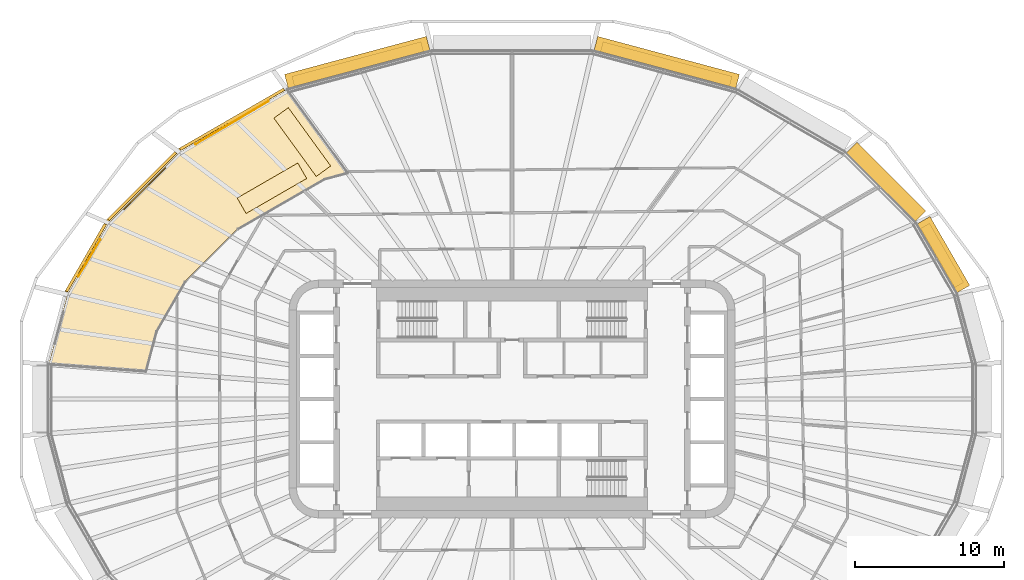
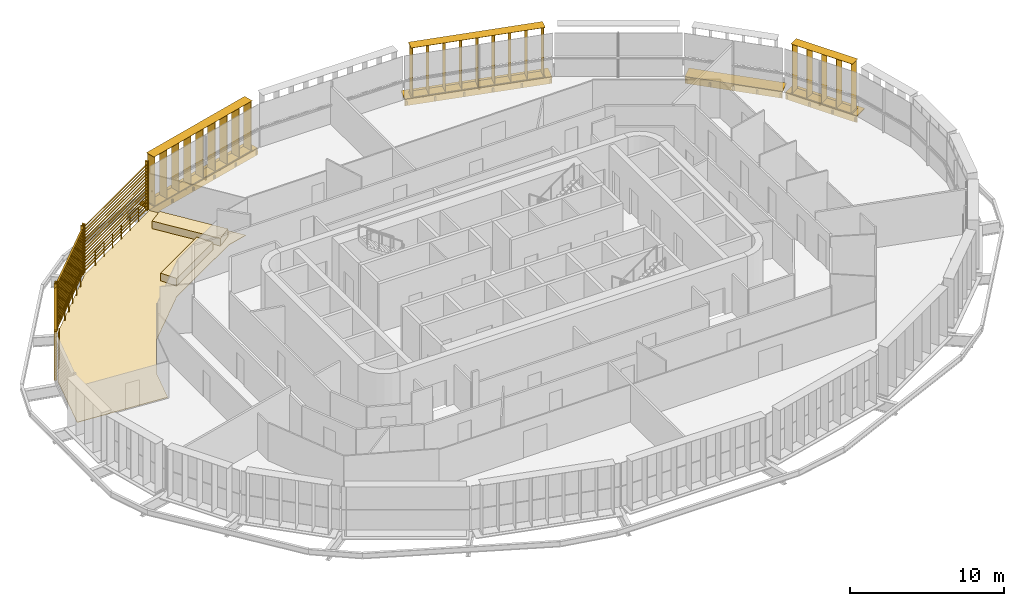
# One storey, part 22 of 23: 10 shading devices, 3 coverings, 3 railings.
"""IFC4 building model written with IfcOpenShell, lengths in metres."""

import ifcopenshell
import ifcopenshell.guid

model = None  # the IFC model being written
_history = None  # IfcOwnerHistory: only IFC2X3 demands one
_inside = {}  # id of a spatial element -> (the spatial element, [elements in it])
_under = {}  # id of a project, library or spatial element -> (it, [spatial elements below it])
_declared = {}  # id of a project -> (the project, [libraries it declares])
_typed = {}  # id of a type object -> (the type object, [elements of that type])
_made_of = {}  # id of a material, layer set ... -> (it, [elements and type objects made of it])


def new_model(schema):
    """Start an empty IFC model of exactly this schema.

    Asked for "IFC4X3", IfcOpenShell would pick the latest addendum, in which some entities
    have other attributes; the version numbers below select the first issue.
    IFC2X3 requires an IfcOwnerHistory on every rooted entity: one is made here for all.
    """
    global model, _history
    if schema == "IFC4X3":
        model = ifcopenshell.file(schema_version=(4, 3, 0, 0))
    else:
        model = ifcopenshell.file(schema=schema)
    _inside.clear()
    _under.clear()
    _declared.clear()
    _typed.clear()
    _made_of.clear()
    _history = None
    if model.schema == "IFC2X3":
        org = make("IfcOrganization", Name="unknown")
        user = make(
            "IfcPersonAndOrganization",
            ThePerson=make("IfcPerson", FamilyName="unknown"),
            TheOrganization=org,
        )
        app = make(
            "IfcApplication",
            ApplicationDeveloper=org,
            Version="unknown",
            ApplicationFullName="unknown",
            ApplicationIdentifier="unknown",
        )
        _history = make(
            "IfcOwnerHistory",
            OwningUser=user,
            OwningApplication=app,
            ChangeAction="ADDED",
            CreationDate=0,
        )
    return model


def make(cls, **values):
    """One entity of the class cls with the attributes given. An attribute that is None is left unset."""
    return model.create_entity(
        cls, **{name: value for name, value in values.items() if value is not None}
    )


def rooted(cls, **values):
    """An entity with a GlobalId (a new one), such as an element, a storey or a relation."""
    return make(cls, GlobalId=ifcopenshell.guid.new(), OwnerHistory=_history, **values)


def si_unit(unit_type, name, prefix=None):
    """IfcSIUnit, for example si_unit("LENGTHUNIT", "METRE", prefix="MILLI")."""
    return make("IfcSIUnit", UnitType=unit_type, Prefix=prefix, Name=name)


def assignment(units):
    """IfcUnitAssignment: the units of a project."""
    return None if units is None else make("IfcUnitAssignment", Units=units)


def point(xyz):
    """IfcCartesianPoint."""
    return None if xyz is None else make("IfcCartesianPoint", Coordinates=xyz)


def direction(xyz):
    """IfcDirection."""
    return None if xyz is None else make("IfcDirection", DirectionRatios=xyz)


def frame(location, z_axis=None, x_axis=None):
    """IfcAxis2Placement3D, a coordinate frame: its origin and axes. An axis left out is left unset."""
    return make(
        "IfcAxis2Placement3D",
        Location=point(location),
        Axis=direction(z_axis),
        RefDirection=direction(x_axis),
    )


def frame_2d(location, x_axis=None):
    """IfcAxis2Placement2D, a coordinate frame in the plane: its origin and x axis."""
    return make(
        "IfcAxis2Placement2D", Location=point(location), RefDirection=direction(x_axis)
    )


def origin():
    """The frame at (0, 0, 0) with its axes left unset."""
    return frame((0.0, 0.0, 0.0))


def origin_2d():
    """The frame at (0, 0) in the plane with its x axis left unset."""
    return frame_2d((0.0, 0.0))


def place(relative_to, where):
    """IfcLocalPlacement: puts the frame where relative to a parent placement (None: the world)."""
    return make(
        "IfcLocalPlacement", PlacementRelTo=relative_to, RelativePlacement=where
    )


def context(
    kind, dimensions, precision=None, world=None, true_north=None, identifier=None
):
    """IfcGeometricRepresentationContext, for example the 3D "Model" context."""
    return make(
        "IfcGeometricRepresentationContext",
        ContextIdentifier=identifier,
        ContextType=kind,
        CoordinateSpaceDimension=dimensions,
        Precision=precision,
        WorldCoordinateSystem=world,
        TrueNorth=true_north,
    )


def subcontext(parent, identifier, kind, view, scale=None):
    """IfcGeometricRepresentationSubContext, for example "Body" below "Model"."""
    return make(
        "IfcGeometricRepresentationSubContext",
        ContextIdentifier=identifier,
        ContextType=kind,
        ParentContext=parent,
        TargetScale=scale,
        TargetView=view,
    )


def project(units=None, contexts=None):
    """IfcProject with its units and contexts."""
    return rooted(
        "IfcProject",
        Name="project",
        RepresentationContexts=contexts,
        UnitsInContext=assignment(units),
    )


def spatial(cls, under=None, at=None, **own):
    """A site, building, storey or space (cls), placed at a placement, below another one or the project."""
    s = rooted(cls, ObjectPlacement=at, **own)
    if under is not None:
        _under.setdefault(under.id(), (under, []))[1].append(s)
    return s


def polyline(points):
    """IfcPolyline through the points."""
    return make("IfcPolyline", Points=[point(p) for p in points])


def profile(cls, at=None, kind="AREA", **sizes):
    """A parametric profile (cls). Its sizes go by their IFC names, for example OverallWidth=200.0."""
    return make(cls, ProfileType=kind, Position=at, **sizes)


def rectangle(**sizes):
    """IfcRectangleProfileDef."""
    return profile("IfcRectangleProfileDef", **sizes)


def circle(**sizes):
    """IfcCircleProfileDef."""
    return profile("IfcCircleProfileDef", **sizes)


def outline(outer, holes=None, kind="AREA"):
    """IfcArbitraryClosedProfileDef: a profile drawn as a closed curve; with holes, ...WithVoids."""
    if holes is None:
        return make("IfcArbitraryClosedProfileDef", ProfileType=kind, OuterCurve=outer)
    return make(
        "IfcArbitraryProfileDefWithVoids",
        ProfileType=kind,
        OuterCurve=outer,
        InnerCurves=holes,
    )


def extrude(swept, where, along, depth):
    """IfcExtrudedAreaSolid: the profile swept, set in the frame where, extruded along a direction by depth."""
    return make(
        "IfcExtrudedAreaSolid",
        SweptArea=swept,
        Position=where,
        ExtrudedDirection=direction(along),
        Depth=depth,
    )


def shape(context_of_items, identifier, shape_type, items):
    """IfcShapeRepresentation: the items that make up one representation, for example the "Body"."""
    return make(
        "IfcShapeRepresentation",
        ContextOfItems=context_of_items,
        RepresentationIdentifier=identifier,
        RepresentationType=shape_type,
        Items=items,
    )


def material(Name=None, Category=None):
    """IfcMaterial."""
    return make("IfcMaterial", Name=Name, Category=Category)


def layer(
    of_material, thickness, ventilated=None, Name=None, Category=None, Priority=None
):
    """IfcMaterialLayer: one layer of a wall or slab, of a material (None: an air gap)."""
    return make(
        "IfcMaterialLayer",
        Material=of_material,
        LayerThickness=thickness,
        IsVentilated=ventilated,
        Name=Name,
        Category=Category,
        Priority=Priority,
    )


def layer_set(layers, Name=None):
    """IfcMaterialLayerSet."""
    return make("IfcMaterialLayerSet", MaterialLayers=layers, LayerSetName=Name)


def made_of(thing, what):
    """Note that an element or type object is made of a material, layer set ...; save() writes the relation."""
    if what is not None:
        _made_of.setdefault(what.id(), (what, []))[1].append(thing)
    return thing


def type_object(cls, material=None, **own):
    """A type object (cls), such as IfcWallType, which elements share."""
    return made_of(rooted(cls, **own), material)


def element(
    cls,
    number,
    at=None,
    inside=None,
    cuts=None,
    type_object=None,
    material=None,
    context=None,
    identifier="Body",
    shape_type=None,
    held_by="IfcProductDefinitionShape",
    body=None,
    shapes=None,
    **own,
):
    """One element of the class cls, such as IfcWall. Its Tag is "e" and its number.

    at: its placement. inside: the storey or other place that contains it. cuts: it is an
    opening in that element (IfcRelVoidsElement). A single representation is given by context,
    identifier, shape_type and body (its items); several are given by shapes. held_by: the class
    of the entity that holds the representations. save() writes the other relations.
    """
    e = rooted(cls, Tag="e%d" % number, ObjectPlacement=at, **own)
    if body is not None:
        shapes = [shape(context, identifier, shape_type, body)]
    if shapes is not None:
        e.Representation = make(held_by, Representations=shapes)
    if inside is not None:
        _inside.setdefault(inside.id(), (inside, []))[1].append(e)
    if cuts is not None:
        rooted(
            "IfcRelVoidsElement", RelatingBuildingElement=cuts, RelatedOpeningElement=e
        )
    if type_object is not None:
        _typed.setdefault(type_object.id(), (type_object, []))[1].append(e)
    return made_of(e, material)


def aggregate(whole, parts):
    """IfcRelAggregates: a whole, such as a stair, and the parts it consists of."""
    return rooted("IfcRelAggregates", RelatingObject=whole, RelatedObjects=parts)


def save(model, path):
    """Write the relations noted so far, then the file.

    IfcRelAggregates (storeys below a building ...), IfcRelContainedInSpatialStructure (elements
    in a storey), IfcRelDefinesByType, IfcRelAssociatesMaterial and IfcRelDeclares: one each for
    every whole, place, type object, material and project.
    """
    for whole, parts in _under.values():
        aggregate(whole, parts)
    for where, things in _inside.values():
        rooted(
            "IfcRelContainedInSpatialStructure",
            RelatedElements=things,
            RelatingStructure=where,
        )
    for kind, things in _typed.values():
        rooted("IfcRelDefinesByType", RelatedObjects=things, RelatingType=kind)
    for what, things in _made_of.values():
        rooted("IfcRelAssociatesMaterial", RelatedObjects=things, RelatingMaterial=what)
    for by, libraries in _declared.values():
        rooted("IfcRelDeclares", RelatingContext=by, RelatedDefinitions=libraries)
    model.write(path)


model = new_model("IFC4")

# Units and contexts
model_context = context("Model", 3, precision=1e-05, world=origin(), true_north=direction((0.0, 1.0)))
body_context = subcontext(model_context, "Body", "Model", "MODEL_VIEW")
ifc_project = project(units=[si_unit("LENGTHUNIT", "METRE"), si_unit("AREAUNIT", "SQUARE_METRE"), si_unit("VOLUMEUNIT", "CUBIC_METRE"), si_unit("PLANEANGLEUNIT", "RADIAN"), si_unit("MASSUNIT", "GRAM", prefix="KILO")], contexts=[model_context])

# Site, building, storey
site_placement = place(None, origin())
site = spatial("IfcSite", under=ifc_project, at=site_placement, CompositionType="ELEMENT")
building_placement = place(site_placement, origin())
building = spatial("IfcBuilding", under=site, at=building_placement, Name="Sahrelin Media Tower", CompositionType="ELEMENT")
storey_placement = place(building_placement, frame((0.0, 0.0, 169.60009765625)))
storey = spatial("IfcBuildingStorey", under=building, at=storey_placement, Name="L35", CompositionType="ELEMENT", Elevation=169.60009765625)

# Shading devices
ifc_material_1 = material(Name="Champagne anodised aluminium 6063-T6", Category="aluminium")
shading_device_type_1 = type_object("IfcShadingDeviceType", Name="Fin cassette", PredefinedType="USERDEFINED", material=ifc_material_1)
placement_1 = place(storey_placement, frame((28.566162109375, 9.4482421875, 0.0), z_axis=(0.0, 0.0, 1.0), x_axis=(0.500011000363, -0.866019052629, 0.0)))
element("IfcShadingDevice", 1, at=placement_1, inside=storey, type_object=shading_device_type_1, Name="L35:FIN:L35-02", ObjectType="FIN", PredefinedType="USERDEFINED", context=body_context, shape_type="SweptSolid", body=[
    extrude(rectangle(XDim=4.60009765625, YDim=0.699951171875, at=origin_2d()), frame((0.0, 0.419921875, 0.0)), (0.0, 0.0, 1.0), 0.02001953125),
    extrude(rectangle(XDim=4.60009765625, YDim=0.699951171875, at=origin_2d()), frame((0.0, 0.419921875, 3.89990234375)), (0.0, 0.0, 1.0), 0.02001953125),
    extrude(rectangle(XDim=0.02001953125, YDim=0.699951171875, at=origin_2d()), frame((-2.199951171875, 0.419921875, 0.010009765625), z_axis=(0.0, 0.0, 1.0), x_axis=(1.0, 0.0, 0.0)), (0.0, 0.0, 1.0), 3.89990234375),
    extrude(rectangle(XDim=0.02001953125, YDim=0.699951171875, at=origin_2d()), frame((-1.10009765625, 0.419921875, 0.010009765625), z_axis=(0.0, 0.0, 1.0), x_axis=(1.0, 0.0, 0.0)), (0.0, 0.0, 1.0), 3.89990234375),
    extrude(rectangle(XDim=0.02001953125, YDim=0.699951171875, at=origin_2d()), frame((0.0, 0.419921875, 0.010009765625), z_axis=(0.0, 0.0, 1.0), x_axis=(1.0, 0.0, 0.0)), (0.0, 0.0, 1.0), 3.89990234375),
    extrude(rectangle(XDim=0.02001953125, YDim=0.699951171875, at=origin_2d()), frame((1.10009765625, 0.419921875, 0.010009765625), z_axis=(0.0, 0.0, 1.0), x_axis=(1.0, 0.0, 0.0)), (0.0, 0.0, 1.0), 3.89990234375),
    extrude(rectangle(XDim=0.02001953125, YDim=0.699951171875, at=origin_2d()), frame((2.199951171875, 0.419921875, 0.010009765625), z_axis=(0.0, 0.0, 1.0), x_axis=(1.0, 0.0, 0.0)), (0.0, 0.0, 1.0), 3.89990234375),
])
placement_2 = place(storey_placement, frame((10.268798828125, 22.125244140625, 0.0), z_axis=(0.0, 0.0, 1.0), x_axis=(0.965928857556, -0.258807731996, 0.0)))
element("IfcShadingDevice", 2, at=placement_2, inside=storey, type_object=shading_device_type_1, Name="L35:FIN:L35-05", ObjectType="FIN", PredefinedType="USERDEFINED", context=body_context, shape_type="SweptSolid", body=[
    extrude(rectangle(XDim=9.0, YDim=0.699951171875, at=origin_2d()), frame((0.0, 0.419921875, 0.0)), (0.0, 0.0, 1.0), 0.02001953125),
    extrude(rectangle(XDim=9.0, YDim=0.699951171875, at=origin_2d()), frame((0.0, 0.419921875, 3.89990234375)), (0.0, 0.0, 1.0), 0.02001953125),
    extrude(rectangle(XDim=0.02001953125, YDim=0.699951171875, at=origin_2d()), frame((-4.39990234375, 0.419921875, 0.010009765625), z_axis=(0.0, 0.0, 1.0), x_axis=(1.0, 0.0, 0.0)), (0.0, 0.0, 1.0), 3.89990234375),
    extrude(rectangle(XDim=0.02001953125, YDim=0.699951171875, at=origin_2d()), frame((-3.300048828125, 0.419921875, 0.010009765625), z_axis=(0.0, 0.0, 1.0), x_axis=(1.0, 0.0, 0.0)), (0.0, 0.0, 1.0), 3.89990234375),
    extrude(rectangle(XDim=0.02001953125, YDim=0.699951171875, at=origin_2d()), frame((-2.199951171875, 0.419921875, 0.010009765625), z_axis=(0.0, 0.0, 1.0), x_axis=(1.0, 0.0, 0.0)), (0.0, 0.0, 1.0), 3.89990234375),
    extrude(rectangle(XDim=0.02001953125, YDim=0.699951171875, at=origin_2d()), frame((-1.10009765625, 0.419921875, 0.010009765625), z_axis=(0.0, 0.0, 1.0), x_axis=(1.0, 0.0, 0.0)), (0.0, 0.0, 1.0), 3.89990234375),
    extrude(rectangle(XDim=0.02001953125, YDim=0.699951171875, at=origin_2d()), frame((0.0, 0.419921875, 0.010009765625), z_axis=(0.0, 0.0, 1.0), x_axis=(1.0, 0.0, 0.0)), (0.0, 0.0, 1.0), 3.89990234375),
    extrude(rectangle(XDim=0.02001953125, YDim=0.699951171875, at=origin_2d()), frame((1.10009765625, 0.419921875, 0.010009765625), z_axis=(0.0, 0.0, 1.0), x_axis=(1.0, 0.0, 0.0)), (0.0, 0.0, 1.0), 3.89990234375),
    extrude(rectangle(XDim=0.02001953125, YDim=0.699951171875, at=origin_2d()), frame((2.199951171875, 0.419921875, 0.010009765625), z_axis=(0.0, 0.0, 1.0), x_axis=(1.0, 0.0, 0.0)), (0.0, 0.0, 1.0), 3.89990234375),
    extrude(rectangle(XDim=0.02001953125, YDim=0.699951171875, at=origin_2d()), frame((3.300048828125, 0.419921875, 0.010009765625), z_axis=(0.0, 0.0, 1.0), x_axis=(1.0, 0.0, 0.0)), (0.0, 0.0, 1.0), 3.89990234375),
    extrude(rectangle(XDim=0.02001953125, YDim=0.699951171875, at=origin_2d()), frame((4.39990234375, 0.419921875, 0.010009765625), z_axis=(0.0, 0.0, 1.0), x_axis=(1.0, 0.0, 0.0)), (0.0, 0.0, 1.0), 3.89990234375),
])
placement_3 = place(storey_placement, frame((-10.268798828125, 22.12548828125, 0.0), z_axis=(0.0, 0.0, 1.0), x_axis=(0.965928857556, 0.258807731996, 0.0)))
element("IfcShadingDevice", 3, at=placement_3, inside=storey, type_object=shading_device_type_1, Name="L35:FIN:L35-07", ObjectType="FIN", PredefinedType="USERDEFINED", context=body_context, shape_type="SweptSolid", body=[
    extrude(rectangle(XDim=9.0, YDim=0.699951171875, at=origin_2d()), frame((0.0, 0.419921875, 0.0)), (0.0, 0.0, 1.0), 0.02001953125),
    extrude(rectangle(XDim=9.0, YDim=0.699951171875, at=origin_2d()), frame((0.0, 0.419921875, 3.89990234375)), (0.0, 0.0, 1.0), 0.02001953125),
    extrude(rectangle(XDim=0.02001953125, YDim=0.699951171875, at=origin_2d()), frame((-4.39990234375, 0.419921875, 0.010009765625), z_axis=(0.0, 0.0, 1.0), x_axis=(1.0, 0.0, 0.0)), (0.0, 0.0, 1.0), 3.89990234375),
    extrude(rectangle(XDim=0.02001953125, YDim=0.699951171875, at=origin_2d()), frame((-3.300048828125, 0.419921875, 0.010009765625), z_axis=(0.0, 0.0, 1.0), x_axis=(1.0, 0.0, 0.0)), (0.0, 0.0, 1.0), 3.89990234375),
    extrude(rectangle(XDim=0.02001953125, YDim=0.699951171875, at=origin_2d()), frame((-2.199951171875, 0.419921875, 0.010009765625), z_axis=(0.0, 0.0, 1.0), x_axis=(1.0, 0.0, 0.0)), (0.0, 0.0, 1.0), 3.89990234375),
    extrude(rectangle(XDim=0.02001953125, YDim=0.699951171875, at=origin_2d()), frame((-1.10009765625, 0.419921875, 0.010009765625), z_axis=(0.0, 0.0, 1.0), x_axis=(1.0, 0.0, 0.0)), (0.0, 0.0, 1.0), 3.89990234375),
    extrude(rectangle(XDim=0.02001953125, YDim=0.699951171875, at=origin_2d()), frame((0.0, 0.419921875, 0.010009765625), z_axis=(0.0, 0.0, 1.0), x_axis=(1.0, 0.0, 0.0)), (0.0, 0.0, 1.0), 3.89990234375),
    extrude(rectangle(XDim=0.02001953125, YDim=0.699951171875, at=origin_2d()), frame((1.10009765625, 0.419921875, 0.010009765625), z_axis=(0.0, 0.0, 1.0), x_axis=(1.0, 0.0, 0.0)), (0.0, 0.0, 1.0), 3.89990234375),
    extrude(rectangle(XDim=0.02001953125, YDim=0.699951171875, at=origin_2d()), frame((2.199951171875, 0.419921875, 0.010009765625), z_axis=(0.0, 0.0, 1.0), x_axis=(1.0, 0.0, 0.0)), (0.0, 0.0, 1.0), 3.89990234375),
    extrude(rectangle(XDim=0.02001953125, YDim=0.699951171875, at=origin_2d()), frame((3.300048828125, 0.419921875, 0.010009765625), z_axis=(0.0, 0.0, 1.0), x_axis=(1.0, 0.0, 0.0)), (0.0, 0.0, 1.0), 3.89990234375),
    extrude(rectangle(XDim=0.02001953125, YDim=0.699951171875, at=origin_2d()), frame((4.39990234375, 0.419921875, 0.010009765625), z_axis=(0.0, 0.0, 1.0), x_axis=(1.0, 0.0, 0.0)), (0.0, 0.0, 1.0), 3.89990234375),
])

# Covering
ifc_material_2 = material(Name="Stone paving", Category="masonry")
ifc_layer = layer(ifc_material_2, 0.0400390625)
ifc_layer_set = layer_set([ifc_layer], Name="Garden paving")
covering_type_1 = type_object("IfcCoveringType", Name="Garden paving", PredefinedType="FLOORING", material=ifc_layer_set)
covering_1_placement = place(storey_placement, origin())
element("IfcCovering", 4, at=covering_1_placement, inside=storey, type_object=covering_type_1, Name="Garden paving G3", PredefinedType="FLOORING", context=body_context, shape_type="SweptSolid", body=[
    extrude(outline(polyline([(-27.138427734375, 11.8212890625), (-22.37939453125, 16.580322265625), (-15.14599609375, 20.75634765625), (-11.121826171875, 15.21923828125), (-12.642333984375, 14.811767578125), (-18.44970703125, 11.458984375), (-22.01708984375, 7.8916015625), (-23.943603515625, 4.55517578125), (-24.656982421875, 1.892333984375), (-31.152587890625, 2.377685546875), (-29.9072265625, 7.025390625), (-27.138427734375, 11.8212890625)])), origin(), (0.0, 0.0, 1.0), 0.039794921875),
])

# Shading devices
shading_device_type_2 = type_object("IfcShadingDeviceType", Name="Garden screen", PredefinedType="USERDEFINED", material=ifc_material_1)
shading_device_4_placement = place(storey_placement, frame((-18.77099609375, 18.72119140625, 0.0), z_axis=(0.0, 0.0, 1.0), x_axis=(0.866019052629, 0.500011000363, 0.0)))
element("IfcShadingDevice", 5, at=shading_device_4_placement, inside=storey, type_object=shading_device_type_2, Name="L35:SCREEN:L35-08", ObjectType="SCREEN", PredefinedType="USERDEFINED", context=body_context, shape_type="SweptSolid", body=[
    extrude(rectangle(XDim=0.1201171875, YDim=0.199951171875, at=origin_2d()), frame((4.091796875, 0.10009765625, 0.050048828125), z_axis=(0.0, 0.0, 1.0), x_axis=(1.0, 0.0, 0.0)), (0.0, 0.0, 1.0), 3.89990234375),
    extrude(rectangle(XDim=0.1201171875, YDim=0.199951171875, at=origin_2d()), frame((-4.091796875, 0.10009765625, 0.050048828125), z_axis=(0.0, 0.0, 1.0), x_axis=(1.0, 0.0, 0.0)), (0.0, 0.0, 1.0), 3.89990234375),
    extrude(rectangle(XDim=0.25, YDim=0.02001953125, at=origin_2d()), frame((4.031982421875, 0.10009765625, 0.14990234375), z_axis=(-1.0, 0.0, 0.0), x_axis=(0.0, -0.766044443119, 0.642787609687)), (0.0, 0.0, 1.0), 8.06396484375),
    extrude(rectangle(XDim=0.25, YDim=0.02001953125, at=origin_2d()), frame((4.031982421875, 0.10009765625, 0.39990234375), z_axis=(-1.0, 0.0, 0.0), x_axis=(0.0, -0.766044443119, 0.642787609687)), (0.0, 0.0, 1.0), 8.06396484375),
    extrude(rectangle(XDim=0.25, YDim=0.02001953125, at=origin_2d()), frame((4.031982421875, 0.10009765625, 0.64990234375), z_axis=(-1.0, 0.0, 0.0), x_axis=(0.0, -0.766044443119, 0.642787609687)), (0.0, 0.0, 1.0), 8.06396484375),
    extrude(rectangle(XDim=0.25, YDim=0.02001953125, at=origin_2d()), frame((4.031982421875, 0.10009765625, 0.89990234375), z_axis=(-1.0, 0.0, 0.0), x_axis=(0.0, -0.766044443119, 0.642787609687)), (0.0, 0.0, 1.0), 8.06396484375),
    extrude(rectangle(XDim=0.25, YDim=0.02001953125, at=origin_2d()), frame((4.031982421875, 0.10009765625, 1.14990234375), z_axis=(-1.0, 0.0, 0.0), x_axis=(0.0, -0.766044443119, 0.642787609687)), (0.0, 0.0, 1.0), 8.06396484375),
    extrude(rectangle(XDim=0.25, YDim=0.02001953125, at=origin_2d()), frame((4.031982421875, 0.10009765625, 1.39990234375), z_axis=(-1.0, 0.0, 0.0), x_axis=(0.0, -0.766044443119, 0.642787609687)), (0.0, 0.0, 1.0), 8.06396484375),
    extrude(rectangle(XDim=0.25, YDim=0.02001953125, at=origin_2d()), frame((4.031982421875, 0.10009765625, 1.64990234375), z_axis=(-1.0, 0.0, 0.0), x_axis=(0.0, -0.766044443119, 0.642787609687)), (0.0, 0.0, 1.0), 8.06396484375),
    extrude(rectangle(XDim=0.25, YDim=0.02001953125, at=origin_2d()), frame((4.031982421875, 0.10009765625, 1.89990234375), z_axis=(-1.0, 0.0, 0.0), x_axis=(0.0, -0.766044443119, 0.642787609687)), (0.0, 0.0, 1.0), 8.06396484375),
    extrude(rectangle(XDim=0.25, YDim=0.02001953125, at=origin_2d()), frame((4.031982421875, 0.10009765625, 2.14990234375), z_axis=(-1.0, 0.0, 0.0), x_axis=(0.0, -0.766044443119, 0.642787609687)), (0.0, 0.0, 1.0), 8.06396484375),
    extrude(rectangle(XDim=0.25, YDim=0.02001953125, at=origin_2d()), frame((4.031982421875, 0.10009765625, 2.39990234375), z_axis=(-1.0, 0.0, 0.0), x_axis=(0.0, -0.766044443119, 0.642787609687)), (0.0, 0.0, 1.0), 8.06396484375),
    extrude(rectangle(XDim=0.25, YDim=0.02001953125, at=origin_2d()), frame((4.031982421875, 0.10009765625, 2.64990234375), z_axis=(-1.0, 0.0, 0.0), x_axis=(0.0, -0.766044443119, 0.642787609687)), (0.0, 0.0, 1.0), 8.06396484375),
    extrude(rectangle(XDim=0.25, YDim=0.02001953125, at=origin_2d()), frame((4.031982421875, 0.10009765625, 2.89990234375), z_axis=(-1.0, 0.0, 0.0), x_axis=(0.0, -0.766044443119, 0.642787609687)), (0.0, 0.0, 1.0), 8.06396484375),
    extrude(rectangle(XDim=0.25, YDim=0.02001953125, at=origin_2d()), frame((4.031982421875, 0.10009765625, 3.14990234375), z_axis=(-1.0, 0.0, 0.0), x_axis=(0.0, -0.766044443119, 0.642787609687)), (0.0, 0.0, 1.0), 8.06396484375),
    extrude(rectangle(XDim=0.25, YDim=0.02001953125, at=origin_2d()), frame((4.031982421875, 0.10009765625, 3.39990234375), z_axis=(-1.0, 0.0, 0.0), x_axis=(0.0, -0.766044443119, 0.642787609687)), (0.0, 0.0, 1.0), 8.06396484375),
    extrude(rectangle(XDim=0.25, YDim=0.02001953125, at=origin_2d()), frame((4.031982421875, 0.10009765625, 3.64990234375), z_axis=(-1.0, 0.0, 0.0), x_axis=(0.0, -0.766044443119, 0.642787609687)), (0.0, 0.0, 1.0), 8.06396484375),
])
shading_device_5_placement = place(storey_placement, frame((-24.794189453125, 14.236083984375, 0.0), z_axis=(0.0, 0.0, 1.0), x_axis=(0.707106781187, 0.707106781187, 0.0)))
element("IfcShadingDevice", 6, at=shading_device_5_placement, inside=storey, type_object=shading_device_type_2, Name="L35:SCREEN:L35-09", ObjectType="SCREEN", PredefinedType="USERDEFINED", context=body_context, shape_type="SweptSolid", body=[
    extrude(rectangle(XDim=0.1201171875, YDim=0.199951171875, at=origin_2d()), frame((3.26171875, 0.10009765625, 0.050048828125), z_axis=(0.0, 0.0, 1.0), x_axis=(1.0, 0.0, 0.0)), (0.0, 0.0, 1.0), 3.89990234375),
    extrude(rectangle(XDim=0.1201171875, YDim=0.199951171875, at=origin_2d()), frame((-3.26171875, 0.10009765625, 0.050048828125), z_axis=(0.0, 0.0, 1.0), x_axis=(1.0, 0.0, 0.0)), (0.0, 0.0, 1.0), 3.89990234375),
    extrude(rectangle(XDim=0.25, YDim=0.02001953125, at=origin_2d()), frame((3.201904296875, 0.10009765625, 0.14990234375), z_axis=(-1.0, 0.0, 0.0), x_axis=(0.0, -0.766044443119, 0.642787609687)), (0.0, 0.0, 1.0), 6.40380859375),
    extrude(rectangle(XDim=0.25, YDim=0.02001953125, at=origin_2d()), frame((3.201904296875, 0.10009765625, 0.39990234375), z_axis=(-1.0, 0.0, 0.0), x_axis=(0.0, -0.766044443119, 0.642787609687)), (0.0, 0.0, 1.0), 6.40380859375),
    extrude(rectangle(XDim=0.25, YDim=0.02001953125, at=origin_2d()), frame((3.201904296875, 0.10009765625, 0.64990234375), z_axis=(-1.0, 0.0, 0.0), x_axis=(0.0, -0.766044443119, 0.642787609687)), (0.0, 0.0, 1.0), 6.40380859375),
    extrude(rectangle(XDim=0.25, YDim=0.02001953125, at=origin_2d()), frame((3.201904296875, 0.10009765625, 0.89990234375), z_axis=(-1.0, 0.0, 0.0), x_axis=(0.0, -0.766044443119, 0.642787609687)), (0.0, 0.0, 1.0), 6.40380859375),
    extrude(rectangle(XDim=0.25, YDim=0.02001953125, at=origin_2d()), frame((3.201904296875, 0.10009765625, 1.14990234375), z_axis=(-1.0, 0.0, 0.0), x_axis=(0.0, -0.766044443119, 0.642787609687)), (0.0, 0.0, 1.0), 6.40380859375),
    extrude(rectangle(XDim=0.25, YDim=0.02001953125, at=origin_2d()), frame((3.201904296875, 0.10009765625, 1.39990234375), z_axis=(-1.0, 0.0, 0.0), x_axis=(0.0, -0.766044443119, 0.642787609687)), (0.0, 0.0, 1.0), 6.40380859375),
    extrude(rectangle(XDim=0.25, YDim=0.02001953125, at=origin_2d()), frame((3.201904296875, 0.10009765625, 1.64990234375), z_axis=(-1.0, 0.0, 0.0), x_axis=(0.0, -0.766044443119, 0.642787609687)), (0.0, 0.0, 1.0), 6.40380859375),
    extrude(rectangle(XDim=0.25, YDim=0.02001953125, at=origin_2d()), frame((3.201904296875, 0.10009765625, 1.89990234375), z_axis=(-1.0, 0.0, 0.0), x_axis=(0.0, -0.766044443119, 0.642787609687)), (0.0, 0.0, 1.0), 6.40380859375),
    extrude(rectangle(XDim=0.25, YDim=0.02001953125, at=origin_2d()), frame((3.201904296875, 0.10009765625, 2.14990234375), z_axis=(-1.0, 0.0, 0.0), x_axis=(0.0, -0.766044443119, 0.642787609687)), (0.0, 0.0, 1.0), 6.40380859375),
    extrude(rectangle(XDim=0.25, YDim=0.02001953125, at=origin_2d()), frame((3.201904296875, 0.10009765625, 2.39990234375), z_axis=(-1.0, 0.0, 0.0), x_axis=(0.0, -0.766044443119, 0.642787609687)), (0.0, 0.0, 1.0), 6.40380859375),
    extrude(rectangle(XDim=0.25, YDim=0.02001953125, at=origin_2d()), frame((3.201904296875, 0.10009765625, 2.64990234375), z_axis=(-1.0, 0.0, 0.0), x_axis=(0.0, -0.766044443119, 0.642787609687)), (0.0, 0.0, 1.0), 6.40380859375),
    extrude(rectangle(XDim=0.25, YDim=0.02001953125, at=origin_2d()), frame((3.201904296875, 0.10009765625, 2.89990234375), z_axis=(-1.0, 0.0, 0.0), x_axis=(0.0, -0.766044443119, 0.642787609687)), (0.0, 0.0, 1.0), 6.40380859375),
    extrude(rectangle(XDim=0.25, YDim=0.02001953125, at=origin_2d()), frame((3.201904296875, 0.10009765625, 3.14990234375), z_axis=(-1.0, 0.0, 0.0), x_axis=(0.0, -0.766044443119, 0.642787609687)), (0.0, 0.0, 1.0), 6.40380859375),
    extrude(rectangle(XDim=0.25, YDim=0.02001953125, at=origin_2d()), frame((3.201904296875, 0.10009765625, 3.39990234375), z_axis=(-1.0, 0.0, 0.0), x_axis=(0.0, -0.766044443119, 0.642787609687)), (0.0, 0.0, 1.0), 6.40380859375),
    extrude(rectangle(XDim=0.25, YDim=0.02001953125, at=origin_2d()), frame((3.201904296875, 0.10009765625, 3.64990234375), z_axis=(-1.0, 0.0, 0.0), x_axis=(0.0, -0.766044443119, 0.642787609687)), (0.0, 0.0, 1.0), 6.40380859375),
])
shading_device_6_placement = place(storey_placement, frame((-28.566162109375, 9.4482421875, 0.0), z_axis=(0.0, 0.0, 1.0), x_axis=(0.500011000363, 0.866019052629, 0.0)))
element("IfcShadingDevice", 7, at=shading_device_6_placement, inside=storey, type_object=shading_device_type_2, Name="L35:SCREEN:L35-10", ObjectType="SCREEN", PredefinedType="USERDEFINED", context=body_context, shape_type="SweptSolid", body=[
    extrude(rectangle(XDim=0.1201171875, YDim=0.199951171875, at=origin_2d()), frame((2.66552734375, 0.10009765625, 0.050048828125), z_axis=(0.0, 0.0, 1.0), x_axis=(1.0, 0.0, 0.0)), (0.0, 0.0, 1.0), 3.89990234375),
    extrude(rectangle(XDim=0.1201171875, YDim=0.199951171875, at=origin_2d()), frame((-2.66552734375, 0.10009765625, 0.050048828125), z_axis=(0.0, 0.0, 1.0), x_axis=(1.0, 0.0, 0.0)), (0.0, 0.0, 1.0), 3.89990234375),
    extrude(rectangle(XDim=0.25, YDim=0.02001953125, at=origin_2d()), frame((2.60546875, 0.10009765625, 0.14990234375), z_axis=(-1.0, 0.0, 0.0), x_axis=(0.0, -0.766044443119, 0.642787609687)), (0.0, 0.0, 1.0), 5.2109375),
    extrude(rectangle(XDim=0.25, YDim=0.02001953125, at=origin_2d()), frame((2.60546875, 0.10009765625, 0.39990234375), z_axis=(-1.0, 0.0, 0.0), x_axis=(0.0, -0.766044443119, 0.642787609687)), (0.0, 0.0, 1.0), 5.2109375),
    extrude(rectangle(XDim=0.25, YDim=0.02001953125, at=origin_2d()), frame((2.60546875, 0.10009765625, 0.64990234375), z_axis=(-1.0, 0.0, 0.0), x_axis=(0.0, -0.766044443119, 0.642787609687)), (0.0, 0.0, 1.0), 5.2109375),
    extrude(rectangle(XDim=0.25, YDim=0.02001953125, at=origin_2d()), frame((2.60546875, 0.10009765625, 0.89990234375), z_axis=(-1.0, 0.0, 0.0), x_axis=(0.0, -0.766044443119, 0.642787609687)), (0.0, 0.0, 1.0), 5.2109375),
    extrude(rectangle(XDim=0.25, YDim=0.02001953125, at=origin_2d()), frame((2.60546875, 0.10009765625, 1.14990234375), z_axis=(-1.0, 0.0, 0.0), x_axis=(0.0, -0.766044443119, 0.642787609687)), (0.0, 0.0, 1.0), 5.2109375),
    extrude(rectangle(XDim=0.25, YDim=0.02001953125, at=origin_2d()), frame((2.60546875, 0.10009765625, 1.39990234375), z_axis=(-1.0, 0.0, 0.0), x_axis=(0.0, -0.766044443119, 0.642787609687)), (0.0, 0.0, 1.0), 5.2109375),
    extrude(rectangle(XDim=0.25, YDim=0.02001953125, at=origin_2d()), frame((2.60546875, 0.10009765625, 1.64990234375), z_axis=(-1.0, 0.0, 0.0), x_axis=(0.0, -0.766044443119, 0.642787609687)), (0.0, 0.0, 1.0), 5.2109375),
    extrude(rectangle(XDim=0.25, YDim=0.02001953125, at=origin_2d()), frame((2.60546875, 0.10009765625, 1.89990234375), z_axis=(-1.0, 0.0, 0.0), x_axis=(0.0, -0.766044443119, 0.642787609687)), (0.0, 0.0, 1.0), 5.2109375),
    extrude(rectangle(XDim=0.25, YDim=0.02001953125, at=origin_2d()), frame((2.60546875, 0.10009765625, 2.14990234375), z_axis=(-1.0, 0.0, 0.0), x_axis=(0.0, -0.766044443119, 0.642787609687)), (0.0, 0.0, 1.0), 5.2109375),
    extrude(rectangle(XDim=0.25, YDim=0.02001953125, at=origin_2d()), frame((2.60546875, 0.10009765625, 2.39990234375), z_axis=(-1.0, 0.0, 0.0), x_axis=(0.0, -0.766044443119, 0.642787609687)), (0.0, 0.0, 1.0), 5.2109375),
    extrude(rectangle(XDim=0.25, YDim=0.02001953125, at=origin_2d()), frame((2.60546875, 0.10009765625, 2.64990234375), z_axis=(-1.0, 0.0, 0.0), x_axis=(0.0, -0.766044443119, 0.642787609687)), (0.0, 0.0, 1.0), 5.2109375),
    extrude(rectangle(XDim=0.25, YDim=0.02001953125, at=origin_2d()), frame((2.60546875, 0.10009765625, 2.89990234375), z_axis=(-1.0, 0.0, 0.0), x_axis=(0.0, -0.766044443119, 0.642787609687)), (0.0, 0.0, 1.0), 5.2109375),
    extrude(rectangle(XDim=0.25, YDim=0.02001953125, at=origin_2d()), frame((2.60546875, 0.10009765625, 3.14990234375), z_axis=(-1.0, 0.0, 0.0), x_axis=(0.0, -0.766044443119, 0.642787609687)), (0.0, 0.0, 1.0), 5.2109375),
    extrude(rectangle(XDim=0.25, YDim=0.02001953125, at=origin_2d()), frame((2.60546875, 0.10009765625, 3.39990234375), z_axis=(-1.0, 0.0, 0.0), x_axis=(0.0, -0.766044443119, 0.642787609687)), (0.0, 0.0, 1.0), 5.2109375),
    extrude(rectangle(XDim=0.25, YDim=0.02001953125, at=origin_2d()), frame((2.60546875, 0.10009765625, 3.64990234375), z_axis=(-1.0, 0.0, 0.0), x_axis=(0.0, -0.766044443119, 0.642787609687)), (0.0, 0.0, 1.0), 5.2109375),
])

# Railings
ifc_material_3 = material(Name="Stainless steel 316", Category="steel")
railing_type = type_object("IfcRailingType", Name="Sky garden guard", PredefinedType="GUARDRAIL", material=ifc_material_3)
railing_1_placement = place(storey_placement, frame((-16.369140625, 20.029296875, 0.0)))
element("IfcRailing", 8, at=railing_1_placement, inside=storey, type_object=railing_type, Name="Sky garden guard G3-1", PredefinedType="GUARDRAIL", context=body_context, shape_type="SweptSolid", body=[
    extrude(circle(Radius=0.02392578125, at=origin_2d()), frame((0.0, 0.0, 1.17578125), z_axis=(-0.861492902536, -0.507769612009, 0.0), x_axis=(0.507769612009, -0.861492902536, 0.0)), (0.0, 0.0, 1.0), 5.69287109375),
    extrude(circle(Radius=0.02099609375, at=origin_2d()), origin(), (0.0, 0.0, 1.0), 1.15185546875),
    extrude(circle(Radius=0.02099609375, at=origin_2d()), frame((-0.98095703125, -0.578125, 0.0)), (0.0, 0.0, 1.0), 1.15185546875),
    extrude(circle(Radius=0.02099609375, at=origin_2d()), frame((-1.961669921875, -1.15625, 0.0)), (0.0, 0.0, 1.0), 1.15185546875),
    extrude(circle(Radius=0.02099609375, at=origin_2d()), frame((-2.942626953125, -1.734375, 0.0)), (0.0, 0.0, 1.0), 1.15185546875),
    extrude(circle(Radius=0.02099609375, at=origin_2d()), frame((-3.92333984375, -2.3125, 0.0)), (0.0, 0.0, 1.0), 1.15185546875),
    extrude(circle(Radius=0.02099609375, at=origin_2d()), frame((-4.904296875, -2.890625, 0.0)), (0.0, 0.0, 1.0), 1.15185546875),
])
railing_2_placement = place(storey_placement, frame((-23.31298828125, 15.529541015625, 0.0)))
element("IfcRailing", 9, at=railing_2_placement, inside=storey, type_object=railing_type, Name="Sky garden guard G3-2", PredefinedType="GUARDRAIL", context=body_context, shape_type="SweptSolid", body=[
    extrude(circle(Radius=0.02392578125, at=origin_2d()), frame((0.0, 0.0, 1.17578125), z_axis=(-0.706702693625, -0.707510637958, 0.0), x_axis=(0.707510637958, -0.706702693625, 0.0)), (0.0, 0.0, 1.0), 3.92822265625),
    extrude(circle(Radius=0.02099609375, at=origin_2d()), origin(), (0.0, 0.0, 1.0), 1.15185546875),
    extrude(circle(Radius=0.02099609375, at=origin_2d()), frame((-0.694091796875, -0.69482421875, 0.0)), (0.0, 0.0, 1.0), 1.15185546875),
    extrude(circle(Radius=0.02099609375, at=origin_2d()), frame((-1.38818359375, -1.3896484375, 0.0)), (0.0, 0.0, 1.0), 1.15185546875),
    extrude(circle(Radius=0.02099609375, at=origin_2d()), frame((-2.08203125, -2.08447265625, 0.0)), (0.0, 0.0, 1.0), 1.15185546875),
    extrude(circle(Radius=0.02099609375, at=origin_2d()), frame((-2.776123046875, -2.779296875, 0.0)), (0.0, 0.0, 1.0), 1.15185546875),
])
railing_3_placement = place(storey_placement, frame((-27.6962890625, 10.712646484375, 0.0)))
element("IfcRailing", 10, at=railing_3_placement, inside=storey, type_object=railing_type, Name="Sky garden guard G3-3", PredefinedType="GUARDRAIL", context=body_context, shape_type="SweptSolid", body=[
    extrude(circle(Radius=0.02392578125, at=origin_2d()), frame((0.0, 0.0, 1.17578125), z_axis=(-0.50952537751, -0.860455629113, 0.0), x_axis=(0.860455629113, -0.50952537751, 0.0)), (0.0, 0.0, 1.0), 2.85107421875),
    extrude(circle(Radius=0.02099609375, at=origin_2d()), origin(), (0.0, 0.0, 1.0), 1.15185546875),
    extrude(circle(Radius=0.02099609375, at=origin_2d()), frame((-0.484130859375, -0.817626953125, 0.0)), (0.0, 0.0, 1.0), 1.15185546875),
    extrude(circle(Radius=0.02099609375, at=origin_2d()), frame((-0.968505859375, -1.635498046875, 0.0)), (0.0, 0.0, 1.0), 1.15185546875),
    extrude(circle(Radius=0.02099609375, at=origin_2d()), frame((-1.45263671875, -2.453125, 0.0)), (0.0, 0.0, 1.0), 1.15185546875),
])

# Coverings
ifc_material_4 = material(Name="Planting and soil")
covering_type_2 = type_object("IfcCoveringType", Name="Sky garden planter", PredefinedType="USERDEFINED", material=ifc_material_4)
covering_2_placement = place(storey_placement, frame((-14.104736328125, 17.2822265625, 0.039794921875), z_axis=(0.0, 0.0, 1.0), x_axis=(0.587889735466, -0.808941072597, 0.0)))
element("IfcCovering", 11, at=covering_2_placement, inside=storey, type_object=covering_type_2, Name="Sky garden planter G3-1", ObjectType="PLANTER", PredefinedType="USERDEFINED", context=body_context, shape_type="SweptSolid", body=[
    extrude(rectangle(XDim=4.844970703125, YDim=1.199951171875, at=origin_2d()), origin(), (0.0, 0.0, 1.0), 0.60009765625),
])
covering_3_placement = place(storey_placement, frame((-16.14599609375, 14.174560546875, 0.039794921875), z_axis=(0.0, 0.0, 1.0), x_axis=(-0.866024531118, -0.500001511499, 0.0)))
element("IfcCovering", 12, at=covering_3_placement, inside=storey, type_object=covering_type_2, Name="Sky garden planter G3-2", ObjectType="PLANTER", PredefinedType="USERDEFINED", context=body_context, shape_type="SweptSolid", body=[
    extrude(rectangle(XDim=4.70556640625, YDim=1.199951171875, at=origin_2d()), origin(), (0.0, 0.0, 1.0), 0.60009765625),
])

# Shading devices
shading_device_type_3 = type_object("IfcShadingDeviceType", Name="Sunshade band", PredefinedType="USERDEFINED", material=ifc_material_1)
element("IfcShadingDevice", 13, at=placement_1, inside=storey, type_object=shading_device_type_3, Name="L35:SUN:L35-02", ObjectType="SUNSHADE", PredefinedType="USERDEFINED", context=body_context, shape_type="SweptSolid", body=[
    extrude(rectangle(XDim=5.350830078125, YDim=0.050048828125, at=origin_2d()), frame((0.0, 0.044921875, -0.55126953125)), (0.0, 0.0, 1.0), 0.471435546875),
    extrude(rectangle(XDim=5.350830078125, YDim=1.0, at=origin_2d()), frame((0.0, 0.52001953125, -0.080078125)), (0.0, 0.0, 1.0), 0.080078125),
    extrude(rectangle(XDim=0.10009765625, YDim=0.074951171875, at=origin_2d()), frame((-2.575439453125, -0.017578125, -0.47021484375)), (0.0, 0.0, 1.0), 0.300048828125),
    extrude(rectangle(XDim=0.10009765625, YDim=0.074951171875, at=origin_2d()), frame((-0.8583984375, -0.017578125, -0.47021484375)), (0.0, 0.0, 1.0), 0.300048828125),
    extrude(rectangle(XDim=0.10009765625, YDim=0.074951171875, at=origin_2d()), frame((0.8583984375, -0.017578125, -0.47021484375)), (0.0, 0.0, 1.0), 0.300048828125),
    extrude(rectangle(XDim=0.10009765625, YDim=0.074951171875, at=origin_2d()), frame((2.575439453125, -0.017578125, -0.47021484375)), (0.0, 0.0, 1.0), 0.300048828125),
])
shading_device_8_placement = place(storey_placement, frame((24.794189453125, 14.236083984375, 0.0), z_axis=(0.0, 0.0, 1.0), x_axis=(0.707106781187, -0.707106781187, 0.0)))
element("IfcShadingDevice", 14, at=shading_device_8_placement, inside=storey, type_object=shading_device_type_3, Name="L35:SUN:L35-03", ObjectType="SUNSHADE", PredefinedType="USERDEFINED", context=body_context, shape_type="SweptSolid", body=[
    extrude(rectangle(XDim=6.54345703125, YDim=0.050048828125, at=origin_2d()), frame((0.0, 0.044921875, -0.55126953125)), (0.0, 0.0, 1.0), 0.471435546875),
    extrude(rectangle(XDim=6.54345703125, YDim=1.0, at=origin_2d()), frame((0.0, 0.52001953125, -0.080078125)), (0.0, 0.0, 1.0), 0.080078125),
    extrude(rectangle(XDim=0.10009765625, YDim=0.074951171875, at=origin_2d()), frame((-3.171875, -0.017578125, -0.47021484375)), (0.0, 0.0, 1.0), 0.300048828125),
    extrude(rectangle(XDim=0.10009765625, YDim=0.074951171875, at=origin_2d()), frame((-1.5859375, -0.017578125, -0.47021484375)), (0.0, 0.0, 1.0), 0.300048828125),
    extrude(rectangle(XDim=0.10009765625, YDim=0.074951171875, at=origin_2d()), frame((0.0, -0.017578125, -0.47021484375)), (0.0, 0.0, 1.0), 0.300048828125),
    extrude(rectangle(XDim=0.10009765625, YDim=0.074951171875, at=origin_2d()), frame((1.5859375, -0.017578125, -0.47021484375)), (0.0, 0.0, 1.0), 0.300048828125),
    extrude(rectangle(XDim=0.10009765625, YDim=0.074951171875, at=origin_2d()), frame((3.171875, -0.017578125, -0.47021484375)), (0.0, 0.0, 1.0), 0.300048828125),
])
element("IfcShadingDevice", 15, at=placement_2, inside=storey, type_object=shading_device_type_3, Name="L35:SUN:L35-05", ObjectType="SUNSHADE", PredefinedType="USERDEFINED", context=body_context, shape_type="SweptSolid", body=[
    extrude(rectangle(XDim=9.86962890625, YDim=0.050048828125, at=origin_2d()), frame((0.0, 0.044921875, -0.55126953125)), (0.0, 0.0, 1.0), 0.471435546875),
    extrude(rectangle(XDim=9.86962890625, YDim=1.0, at=origin_2d()), frame((0.0, 0.52001953125, -0.080078125)), (0.0, 0.0, 1.0), 0.080078125),
    extrude(rectangle(XDim=0.10009765625, YDim=0.074951171875, at=origin_2d()), frame((-4.8349609375, -0.017578125, -0.47021484375)), (0.0, 0.0, 1.0), 0.300048828125),
    extrude(rectangle(XDim=0.10009765625, YDim=0.074951171875, at=origin_2d()), frame((-2.90087890625, -0.017578125, -0.47021484375)), (0.0, 0.0, 1.0), 0.300048828125),
    extrude(rectangle(XDim=0.10009765625, YDim=0.074951171875, at=origin_2d()), frame((-0.967041015625, -0.017578125, -0.47021484375)), (0.0, 0.0, 1.0), 0.300048828125),
    extrude(rectangle(XDim=0.10009765625, YDim=0.074951171875, at=origin_2d()), frame((0.967041015625, -0.017578125, -0.47021484375)), (0.0, 0.0, 1.0), 0.300048828125),
    extrude(rectangle(XDim=0.10009765625, YDim=0.074951171875, at=origin_2d()), frame((2.90087890625, -0.017578125, -0.47021484375)), (0.0, 0.0, 1.0), 0.300048828125),
    extrude(rectangle(XDim=0.10009765625, YDim=0.074951171875, at=origin_2d()), frame((4.8349609375, -0.017578125, -0.47021484375)), (0.0, 0.0, 1.0), 0.300048828125),
])
element("IfcShadingDevice", 16, at=placement_3, inside=storey, type_object=shading_device_type_3, Name="L35:SUN:L35-07", ObjectType="SUNSHADE", PredefinedType="USERDEFINED", context=body_context, shape_type="SweptSolid", body=[
    extrude(rectangle(XDim=9.86962890625, YDim=0.050048828125, at=origin_2d()), frame((0.0, 0.044921875, -0.55126953125)), (0.0, 0.0, 1.0), 0.471435546875),
    extrude(rectangle(XDim=9.86962890625, YDim=1.0, at=origin_2d()), frame((0.0, 0.52001953125, -0.080078125)), (0.0, 0.0, 1.0), 0.080078125),
    extrude(rectangle(XDim=0.10009765625, YDim=0.074951171875, at=origin_2d()), frame((-4.8349609375, -0.017578125, -0.47021484375)), (0.0, 0.0, 1.0), 0.300048828125),
    extrude(rectangle(XDim=0.10009765625, YDim=0.074951171875, at=origin_2d()), frame((-2.90087890625, -0.017578125, -0.47021484375)), (0.0, 0.0, 1.0), 0.300048828125),
    extrude(rectangle(XDim=0.10009765625, YDim=0.074951171875, at=origin_2d()), frame((-0.967041015625, -0.017578125, -0.47021484375)), (0.0, 0.0, 1.0), 0.300048828125),
    extrude(rectangle(XDim=0.10009765625, YDim=0.074951171875, at=origin_2d()), frame((0.967041015625, -0.017578125, -0.47021484375)), (0.0, 0.0, 1.0), 0.300048828125),
    extrude(rectangle(XDim=0.10009765625, YDim=0.074951171875, at=origin_2d()), frame((2.90087890625, -0.017578125, -0.47021484375)), (0.0, 0.0, 1.0), 0.300048828125),
    extrude(rectangle(XDim=0.10009765625, YDim=0.074951171875, at=origin_2d()), frame((4.8349609375, -0.017578125, -0.47021484375)), (0.0, 0.0, 1.0), 0.300048828125),
])

save(model, "model.ifc")
